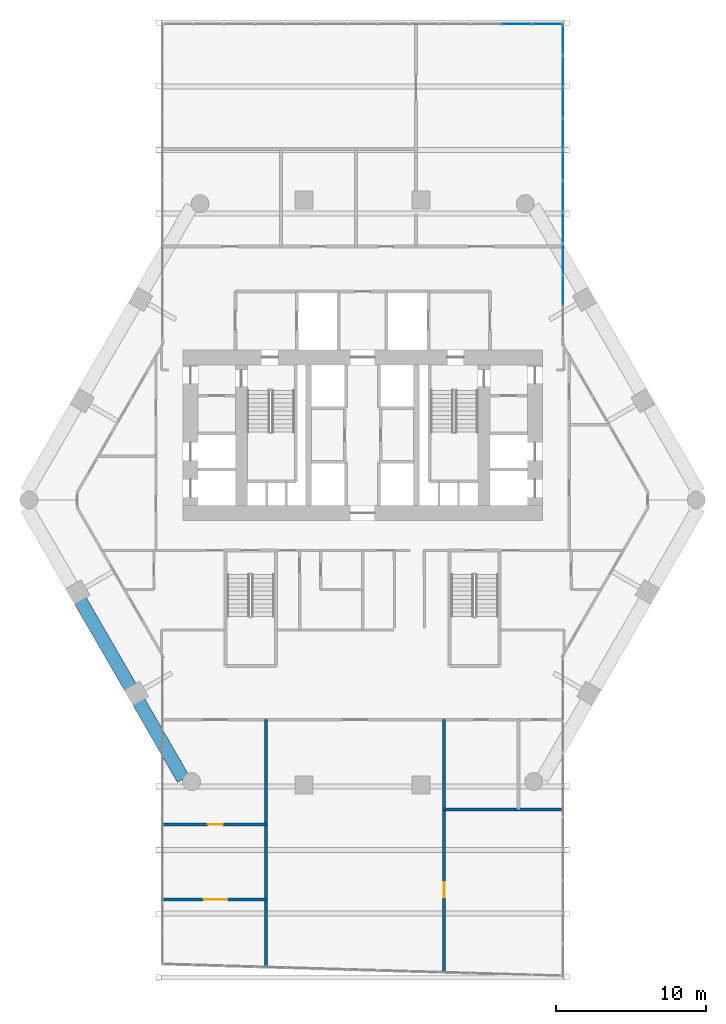
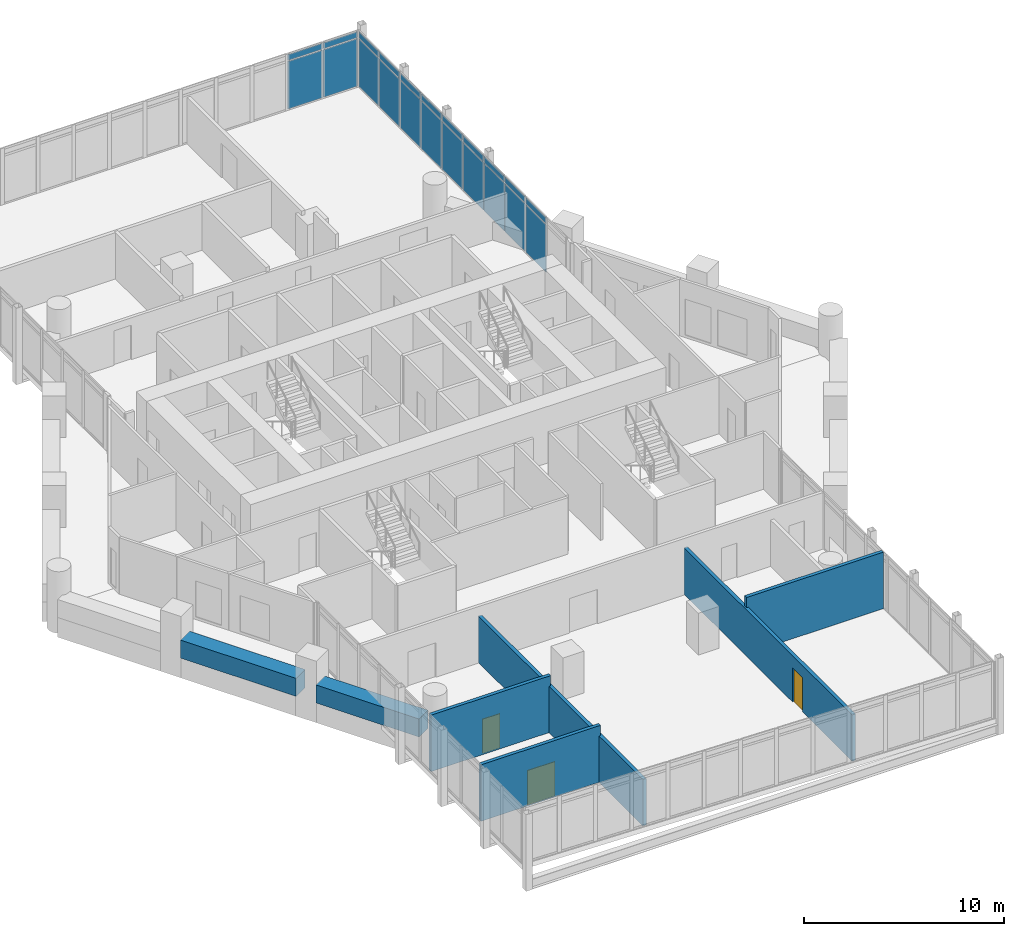
# One storey, part 22 of 28: 22 plates, 7 walls, 3 doors, 3 openings, 2 elements without a shape of their own.
"""IFC4 building model written with IfcOpenShell, lengths in metres."""

from ifc_helpers import new_model, si_unit, direction, frame, frame_2d, origin, origin_2d, place, context, subcontext, project, spatial, rectangle, extrude, material, layer, layer_set, type_object, element, fill, aggregate, save


model = new_model("IFC4")

# Units and contexts
model_context = context("Model", 3, precision=1e-05, world=origin(), true_north=direction((0.0, 1.0)))
body_context = subcontext(model_context, "Body", "Model", "MODEL_VIEW")
ifc_project = project(units=[si_unit("LENGTHUNIT", "METRE"), si_unit("AREAUNIT", "SQUARE_METRE"), si_unit("VOLUMEUNIT", "CUBIC_METRE"), si_unit("PLANEANGLEUNIT", "RADIAN"), si_unit("MASSUNIT", "GRAM", prefix="KILO")], contexts=[model_context])

# Site, building, storey
site_placement = place(None, origin())
site = spatial("IfcSite", under=ifc_project, at=site_placement, CompositionType="ELEMENT")
building_placement = place(site_placement, origin())
building = spatial("IfcBuilding", under=site, at=building_placement, Name="Ostrander Bayou Hotel Tower", CompositionType="ELEMENT")
storey_placement = place(building_placement, frame((0.0, 0.0, 104.25)))
storey = spatial("IfcBuildingStorey", under=building, at=storey_placement, Name="L26", CompositionType="ELEMENT", Elevation=104.25)

# Curtain wall, plates
ifc_material_1 = material(Name="Aluminium and clear glass", Category="aluminium")
curtain_wall_type = type_object("IfcCurtainWallType", Name="CW-BAR glazed wall", PredefinedType="NOTDEFINED", material=ifc_material_1)
curtain_wall_1_placement = place(storey_placement, origin())
curtain_wall_1 = element("IfcCurtainWall", 1, at=curtain_wall_1_placement, inside=storey, type_object=curtain_wall_type, Name="CW-BAR L26:SB2N:T", PredefinedType="NOTDEFINED")
ifc_material_2 = material(Name="Clear laminated glass", Category="glass")
ifc_layer_1 = layer(ifc_material_2, 0.028076171875)
ifc_layer_set_1 = layer_set([ifc_layer_1], Name="CW-BR glazing panel 28 mm")
plate_type = type_object("IfcPlateType", Name="CW-BR glazing panel 28 mm", PredefinedType="CURTAIN_PANEL", material=ifc_layer_set_1)
plate_1_placement = place(storey_placement, frame((10.282470703125, 31.4453125, 0.06005859375), z_axis=(0.0, 0.0, 1.0), x_axis=(1.0, 0.0, 0.0)))
plate_1 = element("IfcPlate", 2, at=plate_1_placement, type_object=plate_type, Name="CW-BAR panel 12.1", PredefinedType="CURTAIN_PANEL", context=body_context, shape_type="SweptSolid", body=[
    extrude(rectangle(XDim=1.99658203125, YDim=0.028076171875, at=origin_2d()), origin(), (0.0, 0.0, 1.0), 2.909912109375),
])
plate_2_placement = place(storey_placement, frame((10.282470703125, 31.4453125, 3.02978515625), z_axis=(0.0, 0.0, 1.0), x_axis=(1.0, 0.0, 0.0)))
plate_2 = element("IfcPlate", 3, at=plate_2_placement, type_object=plate_type, Name="CW-BAR panel 12.2", PredefinedType="CURTAIN_PANEL", context=body_context, shape_type="SweptSolid", body=[
    extrude(rectangle(XDim=1.99658203125, YDim=0.028076171875, at=origin_2d()), origin(), (0.0, 0.0, 1.0), 0.360107421875),
])
plate_3_placement = place(storey_placement, frame((12.323974609375, 31.4453125, 0.06005859375), z_axis=(0.0, 0.0, 1.0), x_axis=(1.0, 0.0, 0.0)))
plate_3 = element("IfcPlate", 4, at=plate_3_placement, type_object=plate_type, Name="CW-BAR panel 13.1", PredefinedType="CURTAIN_PANEL", context=body_context, shape_type="SweptSolid", body=[
    extrude(rectangle(XDim=1.966552734375, YDim=0.028076171875, at=origin_2d()), origin(), (0.0, 0.0, 1.0), 2.909912109375),
])
plate_4_placement = place(storey_placement, frame((12.323974609375, 31.4453125, 3.02978515625), z_axis=(0.0, 0.0, 1.0), x_axis=(1.0, 0.0, 0.0)))
plate_4 = element("IfcPlate", 5, at=plate_4_placement, type_object=plate_type, Name="CW-BAR panel 13.2", PredefinedType="CURTAIN_PANEL", context=body_context, shape_type="SweptSolid", body=[
    extrude(rectangle(XDim=1.966552734375, YDim=0.028076171875, at=origin_2d()), origin(), (0.0, 0.0, 1.0), 0.360107421875),
])
aggregate(curtain_wall_1, [plate_1, plate_2, plate_3, plate_4])

curtain_wall_2_placement = place(storey_placement, origin())
curtain_wall_2 = element("IfcCurtainWall", 6, at=curtain_wall_2_placement, inside=storey, type_object=curtain_wall_type, Name="CW-BAR L26:SB2N:W", PredefinedType="NOTDEFINED")
plate_5_placement = place(storey_placement, frame((13.3671875, 13.65869140625, 0.06005859375), z_axis=(0.0, 0.0, 1.0), x_axis=(0.0, 1.0, 0.0)))
plate_5 = element("IfcPlate", 7, at=plate_5_placement, type_object=plate_type, Name="CW-BAR panel 2.1", PredefinedType="CURTAIN_PANEL", context=body_context, shape_type="SweptSolid", body=[
    extrude(rectangle(XDim=2.032470703125, YDim=0.028076171875, at=origin_2d()), origin(), (0.0, 0.0, 1.0), 2.909912109375),
])
plate_6_placement = place(storey_placement, frame((13.3671875, 13.65869140625, 3.02978515625), z_axis=(0.0, 0.0, 1.0), x_axis=(0.0, 1.0, 0.0)))
plate_6 = element("IfcPlate", 8, at=plate_6_placement, type_object=plate_type, Name="CW-BAR panel 2.2", PredefinedType="CURTAIN_PANEL", context=body_context, shape_type="SweptSolid", body=[
    extrude(rectangle(XDim=2.032470703125, YDim=0.028076171875, at=origin_2d()), origin(), (0.0, 0.0, 1.0), 0.360107421875),
])
plate_7_placement = place(storey_placement, frame((13.3671875, 15.75146484375, 0.06005859375), z_axis=(0.0, 0.0, 1.0), x_axis=(0.0, 1.0, 0.0)))
plate_7 = element("IfcPlate", 9, at=plate_7_placement, type_object=plate_type, Name="CW-BAR panel 3.1", PredefinedType="CURTAIN_PANEL", context=body_context, shape_type="SweptSolid", body=[
    extrude(rectangle(XDim=2.032470703125, YDim=0.028076171875, at=origin_2d()), origin(), (0.0, 0.0, 1.0), 2.909912109375),
])
plate_8_placement = place(storey_placement, frame((13.3671875, 15.75146484375, 3.02978515625), z_axis=(0.0, 0.0, 1.0), x_axis=(0.0, 1.0, 0.0)))
plate_8 = element("IfcPlate", 10, at=plate_8_placement, type_object=plate_type, Name="CW-BAR panel 3.2", PredefinedType="CURTAIN_PANEL", context=body_context, shape_type="SweptSolid", body=[
    extrude(rectangle(XDim=2.032470703125, YDim=0.028076171875, at=origin_2d()), origin(), (0.0, 0.0, 1.0), 0.360107421875),
])
plate_9_placement = place(storey_placement, frame((13.3671875, 17.843994140625, 0.06005859375), z_axis=(0.0, 0.0, 1.0), x_axis=(0.0, 1.0, 0.0)))
plate_9 = element("IfcPlate", 11, at=plate_9_placement, type_object=plate_type, Name="CW-BAR panel 4.1", PredefinedType="CURTAIN_PANEL", context=body_context, shape_type="SweptSolid", body=[
    extrude(rectangle(XDim=2.032470703125, YDim=0.028076171875, at=origin_2d()), origin(), (0.0, 0.0, 1.0), 2.909912109375),
])
plate_10_placement = place(storey_placement, frame((13.3671875, 17.843994140625, 3.02978515625), z_axis=(0.0, 0.0, 1.0), x_axis=(0.0, 1.0, 0.0)))
plate_10 = element("IfcPlate", 12, at=plate_10_placement, type_object=plate_type, Name="CW-BAR panel 4.2", PredefinedType="CURTAIN_PANEL", context=body_context, shape_type="SweptSolid", body=[
    extrude(rectangle(XDim=2.032470703125, YDim=0.028076171875, at=origin_2d()), origin(), (0.0, 0.0, 1.0), 0.360107421875),
])
plate_11_placement = place(storey_placement, frame((13.3671875, 19.9365234375, 0.06005859375), z_axis=(0.0, 0.0, 1.0), x_axis=(0.0, 1.0, 0.0)))
plate_11 = element("IfcPlate", 13, at=plate_11_placement, type_object=plate_type, Name="CW-BAR panel 5.1", PredefinedType="CURTAIN_PANEL", context=body_context, shape_type="SweptSolid", body=[
    extrude(rectangle(XDim=2.032470703125, YDim=0.028076171875, at=origin_2d()), origin(), (0.0, 0.0, 1.0), 2.909912109375),
])
plate_12_placement = place(storey_placement, frame((13.3671875, 19.9365234375, 3.02978515625), z_axis=(0.0, 0.0, 1.0), x_axis=(0.0, 1.0, 0.0)))
plate_12 = element("IfcPlate", 14, at=plate_12_placement, type_object=plate_type, Name="CW-BAR panel 5.2", PredefinedType="CURTAIN_PANEL", context=body_context, shape_type="SweptSolid", body=[
    extrude(rectangle(XDim=2.032470703125, YDim=0.028076171875, at=origin_2d()), origin(), (0.0, 0.0, 1.0), 0.360107421875),
])
plate_13_placement = place(storey_placement, frame((13.3671875, 22.029052734375, 0.06005859375), z_axis=(0.0, 0.0, 1.0), x_axis=(0.0, 1.0, 0.0)))
plate_13 = element("IfcPlate", 15, at=plate_13_placement, type_object=plate_type, Name="CW-BAR panel 6.1", PredefinedType="CURTAIN_PANEL", context=body_context, shape_type="SweptSolid", body=[
    extrude(rectangle(XDim=2.032470703125, YDim=0.028076171875, at=origin_2d()), origin(), (0.0, 0.0, 1.0), 2.909912109375),
])
plate_14_placement = place(storey_placement, frame((13.3671875, 22.029052734375, 3.02978515625), z_axis=(0.0, 0.0, 1.0), x_axis=(0.0, 1.0, 0.0)))
plate_14 = element("IfcPlate", 16, at=plate_14_placement, type_object=plate_type, Name="CW-BAR panel 6.2", PredefinedType="CURTAIN_PANEL", context=body_context, shape_type="SweptSolid", body=[
    extrude(rectangle(XDim=2.032470703125, YDim=0.028076171875, at=origin_2d()), origin(), (0.0, 0.0, 1.0), 0.360107421875),
])
plate_15_placement = place(storey_placement, frame((13.3671875, 24.12158203125, 0.06005859375), z_axis=(0.0, 0.0, 1.0), x_axis=(0.0, 1.0, 0.0)))
plate_15 = element("IfcPlate", 17, at=plate_15_placement, type_object=plate_type, Name="CW-BAR panel 7.1", PredefinedType="CURTAIN_PANEL", context=body_context, shape_type="SweptSolid", body=[
    extrude(rectangle(XDim=2.032470703125, YDim=0.028076171875, at=origin_2d()), origin(), (0.0, 0.0, 1.0), 2.909912109375),
])
plate_16_placement = place(storey_placement, frame((13.3671875, 24.12158203125, 3.02978515625), z_axis=(0.0, 0.0, 1.0), x_axis=(0.0, 1.0, 0.0)))
plate_16 = element("IfcPlate", 18, at=plate_16_placement, type_object=plate_type, Name="CW-BAR panel 7.2", PredefinedType="CURTAIN_PANEL", context=body_context, shape_type="SweptSolid", body=[
    extrude(rectangle(XDim=2.032470703125, YDim=0.028076171875, at=origin_2d()), origin(), (0.0, 0.0, 1.0), 0.360107421875),
])
plate_17_placement = place(storey_placement, frame((13.3671875, 26.214111328125, 0.06005859375), z_axis=(0.0, 0.0, 1.0), x_axis=(0.0, 1.0, 0.0)))
plate_17 = element("IfcPlate", 19, at=plate_17_placement, type_object=plate_type, Name="CW-BAR panel 8.1", PredefinedType="CURTAIN_PANEL", context=body_context, shape_type="SweptSolid", body=[
    extrude(rectangle(XDim=2.032470703125, YDim=0.028076171875, at=origin_2d()), origin(), (0.0, 0.0, 1.0), 2.909912109375),
])
plate_18_placement = place(storey_placement, frame((13.3671875, 26.214111328125, 3.02978515625), z_axis=(0.0, 0.0, 1.0), x_axis=(0.0, 1.0, 0.0)))
plate_18 = element("IfcPlate", 20, at=plate_18_placement, type_object=plate_type, Name="CW-BAR panel 8.2", PredefinedType="CURTAIN_PANEL", context=body_context, shape_type="SweptSolid", body=[
    extrude(rectangle(XDim=2.032470703125, YDim=0.028076171875, at=origin_2d()), origin(), (0.0, 0.0, 1.0), 0.360107421875),
])
plate_19_placement = place(storey_placement, frame((13.3671875, 28.306640625, 0.06005859375), z_axis=(0.0, 0.0, 1.0), x_axis=(0.0, 1.0, 0.0)))
plate_19 = element("IfcPlate", 21, at=plate_19_placement, type_object=plate_type, Name="CW-BAR panel 9.1", PredefinedType="CURTAIN_PANEL", context=body_context, shape_type="SweptSolid", body=[
    extrude(rectangle(XDim=2.032470703125, YDim=0.028076171875, at=origin_2d()), origin(), (0.0, 0.0, 1.0), 2.909912109375),
])
plate_20_placement = place(storey_placement, frame((13.3671875, 28.306640625, 3.02978515625), z_axis=(0.0, 0.0, 1.0), x_axis=(0.0, 1.0, 0.0)))
plate_20 = element("IfcPlate", 22, at=plate_20_placement, type_object=plate_type, Name="CW-BAR panel 9.2", PredefinedType="CURTAIN_PANEL", context=body_context, shape_type="SweptSolid", body=[
    extrude(rectangle(XDim=2.032470703125, YDim=0.028076171875, at=origin_2d()), origin(), (0.0, 0.0, 1.0), 0.360107421875),
])
plate_21_placement = place(storey_placement, frame((13.3671875, 30.384033203125, 0.06005859375), z_axis=(0.0, 0.0, 1.0), x_axis=(0.0, 1.0, 0.0)))
plate_21 = element("IfcPlate", 23, at=plate_21_placement, type_object=plate_type, Name="CW-BAR panel 10.1", PredefinedType="CURTAIN_PANEL", context=body_context, shape_type="SweptSolid", body=[
    extrude(rectangle(XDim=2.00244140625, YDim=0.028076171875, at=origin_2d()), origin(), (0.0, 0.0, 1.0), 2.909912109375),
])
plate_22_placement = place(storey_placement, frame((13.3671875, 30.384033203125, 3.02978515625), z_axis=(0.0, 0.0, 1.0), x_axis=(0.0, 1.0, 0.0)))
plate_22 = element("IfcPlate", 24, at=plate_22_placement, type_object=plate_type, Name="CW-BAR panel 10.2", PredefinedType="CURTAIN_PANEL", context=body_context, shape_type="SweptSolid", body=[
    extrude(rectangle(XDim=2.00244140625, YDim=0.028076171875, at=origin_2d()), origin(), (0.0, 0.0, 1.0), 0.360107421875),
])
aggregate(curtain_wall_2, [plate_5, plate_6, plate_7, plate_8, plate_9, plate_10, plate_11, plate_12, plate_13, plate_14, plate_15, plate_16, plate_17, plate_18, plate_19, plate_20, plate_21, plate_22])

# Walls
ifc_material_3 = material(Name="Limestone masonry", Category="masonry")
ifc_layer_2 = layer(ifc_material_3, 0.89990234375)
ifc_layer_set_2 = layer_set([ifc_layer_2], Name="PA2 limestone parapet 900 mm")
wall_type_1 = type_object("IfcWallType", Name="PA2 limestone parapet 900 mm", PredefinedType="PARAPET", material=ifc_layer_set_2)
wall_1_placement = place(storey_placement, frame((-18.85888671875, -7.035400390625, 0.0), z_axis=(0.0, 0.0, 1.0), x_axis=(0.499999023957, -0.866025967302, 0.0)))
element("IfcWall", 25, at=wall_1_placement, inside=storey, type_object=wall_type_1, Name="PA2 L26 SW-2", PredefinedType="PARAPET", context=body_context, shape_type="SweptSolid", body=[
    extrude(rectangle(XDim=6.67333984375, YDim=0.89990234375, at=frame_2d((3.336669921875, 0.0))), origin(), (0.0, 0.0, 1.0), 1.10009765625),
])
wall_2_placement = place(storey_placement, frame((-14.9521484375, -13.802001953125, 0.0), z_axis=(0.0, 0.0, 1.0), x_axis=(0.499988630717, -0.866031967744, 0.0)))
element("IfcWall", 26, at=wall_2_placement, inside=storey, type_object=wall_type_1, Name="PA2 L26 SW-3", PredefinedType="PARAPET", context=body_context, shape_type="SweptSolid", body=[
    extrude(rectangle(XDim=5.954833984375, YDim=0.89990234375, at=frame_2d((2.9775390625, 0.0))), origin(), (0.0, 0.0, 1.0), 1.10009765625),
])

# Wall, opening, door
ifc_material_4 = material(Name="Gypsum board partition", Category="finish")
ifc_layer_3 = layer(ifc_material_4, 0.199951171875)
ifc_layer_set_3 = layer_set([ifc_layer_3], Name="PT3 demising wall 200 mm acoustic double stud, 1 hour")
wall_type_2 = type_object("IfcWallType", Name="PT3 demising wall 200 mm acoustic double stud, 1 hour", PredefinedType="PARTITIONING", material=ifc_layer_set_3)
wall_3_placement = place(storey_placement, frame((-13.34814453125, -27.0, 0.0), z_axis=(0.0, 0.0, 1.0), x_axis=(1.0, 0.0, 0.0)))
wall_3 = element("IfcWall", 27, at=wall_3_placement, inside=storey, type_object=wall_type_2, Name="sw:L26:502", PredefinedType="PARTITIONING", context=body_context, shape_type="SweptSolid", body=[
    extrude(rectangle(XDim=6.906005859375, YDim=0.199951171875, at=frame_2d((3.453125, 0.0))), origin(), (0.0, 0.0, 1.0), 3.449951171875),
])
opening_1_placement = place(wall_3_placement, frame((2.720947265625, 0.0, 0.0)))
opening_1 = element("IfcOpeningElement", 28, at=opening_1_placement, cuts=wall_3, Name="Opening T25-1202", PredefinedType="OPENING", context=body_context, shape_type="SweptSolid", body=[
    extrude(rectangle(XDim=1.60009765625, YDim=2.10009765625, at=frame_2d((0.800048828125, 1.050048828125))), frame((0.0, 0.10009765625, 0.0), z_axis=(0.0, -1.0, 0.0), x_axis=(1.0, 0.0, 0.0)), (0.0, 0.0, 1.0), 0.199951171875),
])
ifc_material_5 = material(Name="Timber door leaf", Category="wood")
door_type_1 = type_object("IfcDoorType", Name="D13 double door 1600 x 2100 mm, 1 hour", OperationType="SINGLE_SWING_LEFT", PredefinedType="DOOR", material=ifc_material_5)
door_1_placement = place(opening_1_placement, origin())
door_1 = element("IfcDoor", 29, at=door_1_placement, inside=storey, type_object=door_type_1, Name="dr:L26:1202", OperationType="DOUBLE_DOOR_SINGLE_SWING", OverallHeight=2.10009765625, OverallWidth=1.60009765625, PredefinedType="DOOR", context=body_context, shape_type="SweptSolid", body=[
    extrude(rectangle(XDim=1.60009765625, YDim=2.10009765625, at=frame_2d((0.800048828125, 1.050048828125))), frame((0.0, 0.02490234375, 0.0), z_axis=(0.0, -1.0, 0.0), x_axis=(1.0, 0.0, 0.0)), (0.0, 0.0, 1.0), 0.050048828125),
])
fill(opening_1, door_1)

wall_4_placement = place(storey_placement, frame((-13.34814453125, -22.0, 0.0), z_axis=(0.0, 0.0, 1.0), x_axis=(1.0, 0.0, 0.0)))
wall_4 = element("IfcWall", 30, at=wall_4_placement, inside=storey, type_object=wall_type_2, Name="sw:L26:503", PredefinedType="PARTITIONING", context=body_context, shape_type="SweptSolid", body=[
    extrude(rectangle(XDim=6.906005859375, YDim=0.199951171875, at=frame_2d((3.453125, 0.0))), origin(), (0.0, 0.0, 1.0), 3.449951171875),
])
opening_2_placement = place(wall_4_placement, frame((3.02099609375, 0.0, 0.0)))
opening_2 = element("IfcOpeningElement", 31, at=opening_2_placement, cuts=wall_4, Name="Opening T25-1201", PredefinedType="OPENING", context=body_context, shape_type="SweptSolid", body=[
    extrude(rectangle(XDim=1.0, YDim=2.10009765625, at=frame_2d((0.5, 1.050048828125))), frame((0.0, 0.10009765625, 0.0), z_axis=(0.0, -1.0, 0.0), x_axis=(1.0, 0.0, 0.0)), (0.0, 0.0, 1.0), 0.199951171875),
])
ifc_material_6 = material(Name="Timber door leaf", Category="wood")
door_type_2 = type_object("IfcDoorType", Name="D9 service door 1000 x 2100 mm, 30 minute", OperationType="SINGLE_SWING_LEFT", PredefinedType="DOOR", material=ifc_material_6)
door_2_placement = place(opening_2_placement, origin())
door_2 = element("IfcDoor", 32, at=door_2_placement, inside=storey, type_object=door_type_2, Name="dr:L26:1201", OperationType="SINGLE_SWING_LEFT", OverallHeight=2.10009765625, OverallWidth=1.0, PredefinedType="DOOR", context=body_context, shape_type="SweptSolid", body=[
    extrude(rectangle(XDim=1.0, YDim=2.10009765625, at=frame_2d((0.5, 1.050048828125))), frame((0.0, 0.02490234375, 0.0), z_axis=(0.0, -1.0, 0.0), x_axis=(1.0, 0.0, 0.0)), (0.0, 0.0, 1.0), 0.050048828125),
])
fill(opening_2, door_2)

# Walls
wall_5_placement = place(storey_placement, frame((5.442138671875, -21.0, 0.0), z_axis=(0.0, 0.0, 1.0), x_axis=(1.0, 0.0, 0.0)))
element("IfcWall", 33, at=wall_5_placement, inside=storey, type_object=wall_type_2, Name="sw:L26:504", PredefinedType="PARTITIONING", context=body_context, shape_type="SweptSolid", body=[
    extrude(rectangle(XDim=7.906005859375, YDim=0.199951171875, at=frame_2d((3.953125, 0.0))), origin(), (0.0, 0.0, 1.0), 3.449951171875),
])
wall_6_placement = place(storey_placement, frame((-6.44189453125, -31.4892578125, 0.0), z_axis=(0.0, 0.0, 1.0), x_axis=(0.0, 1.0, 0.0)))
element("IfcWall", 34, at=wall_6_placement, inside=storey, type_object=wall_type_2, Name="sw:L26:506", PredefinedType="PARTITIONING", context=body_context, shape_type="SweptSolid", body=[
    extrude(rectangle(XDim=16.4892578125, YDim=0.199951171875, at=frame_2d((8.24462890625, 0.0))), origin(), (0.0, 0.0, 1.0), 2.828125),
])

# Wall, opening, door
wall_7_placement = place(storey_placement, frame((5.44189453125, -31.843017578125, 0.0), z_axis=(0.0, 0.0, 1.0), x_axis=(0.0, 1.0, 0.0)))
wall_7 = element("IfcWall", 35, at=wall_7_placement, inside=storey, type_object=wall_type_2, Name="sw:L26:511", PredefinedType="PARTITIONING", context=body_context, shape_type="SweptSolid", body=[
    extrude(rectangle(XDim=16.843017578125, YDim=0.199951171875, at=frame_2d((8.42138671875, 0.0))), origin(), (0.0, 0.0, 1.0), 2.828125),
])
opening_3_placement = place(wall_7_placement, frame((4.97705078125, 0.0, 0.0)))
opening_3 = element("IfcOpeningElement", 36, at=opening_3_placement, cuts=wall_7, Name="Opening T25-1203", PredefinedType="OPENING", context=body_context, shape_type="SweptSolid", body=[
    extrude(rectangle(XDim=1.0, YDim=2.10009765625, at=frame_2d((0.5, 1.050048828125))), frame((0.0, 0.10009765625, 0.0), z_axis=(0.0, -1.0, 0.0), x_axis=(1.0, 0.0, 0.0)), (0.0, 0.0, 1.0), 0.199951171875),
])
door_3_placement = place(opening_3_placement, origin())
door_3 = element("IfcDoor", 37, at=door_3_placement, inside=storey, type_object=door_type_2, Name="dr:L26:1203", OperationType="SINGLE_SWING_LEFT", OverallHeight=2.10009765625, OverallWidth=1.0, PredefinedType="DOOR", context=body_context, shape_type="SweptSolid", body=[
    extrude(rectangle(XDim=1.0, YDim=2.10009765625, at=frame_2d((0.5, 1.050048828125))), frame((0.0, 0.02490234375, 0.0), z_axis=(0.0, -1.0, 0.0), x_axis=(1.0, 0.0, 0.0)), (0.0, 0.0, 1.0), 0.050048828125),
])
fill(opening_3, door_3)

save(model, "model.ifc")
